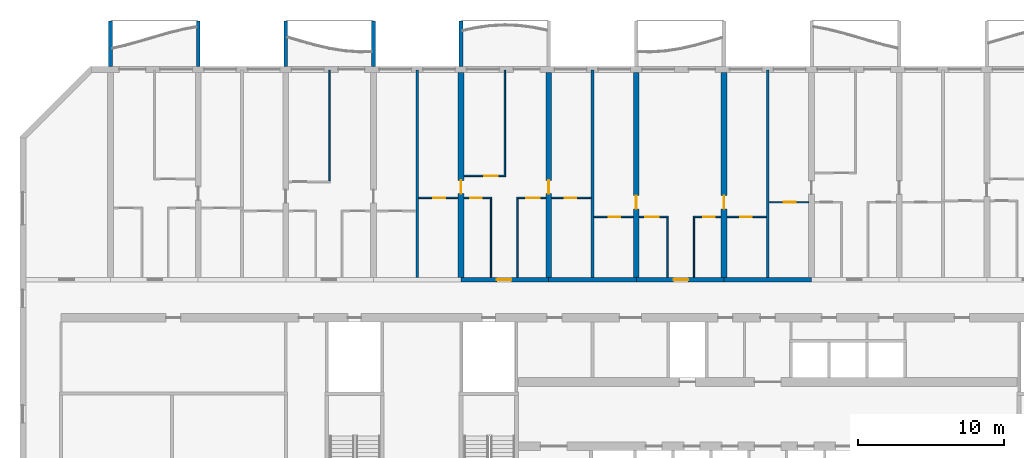
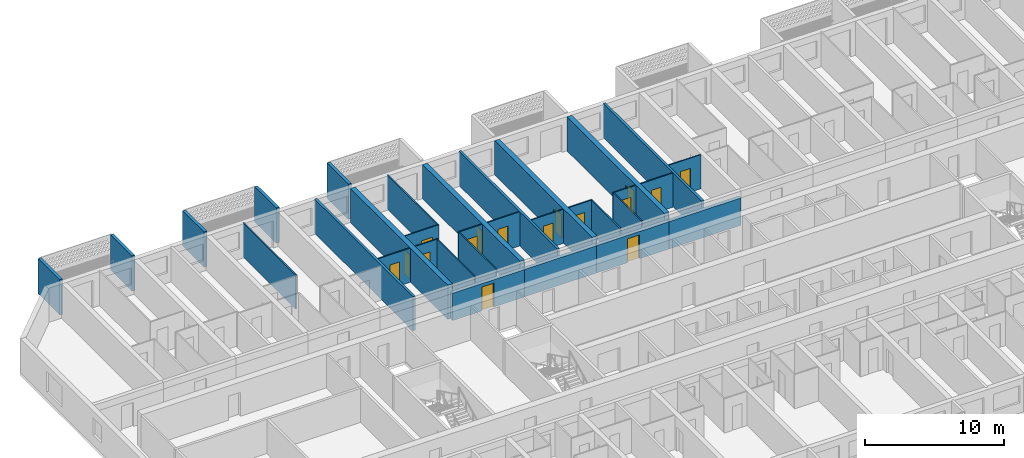
# One storey, part 11 of 38: 32 walls, 16 doors, 16 openings.
"""IFC4 building model written with IfcOpenShell, lengths in metres."""

from ifc_helpers import new_model, si_unit, direction, frame, frame_2d, origin, place, context, subcontext, project, spatial, polyline, rectangle, outline, extrude, source, transform, mapped, material, layer, layer_set, type_object, element, fill, save


model = new_model("IFC4")

# Units and contexts
model_context = context("Model", 3, precision=1e-05, world=origin(), true_north=direction((0.0, 1.0)))
body_context = subcontext(model_context, "Body", "Model", "MODEL_VIEW")
ifc_project = project(units=[si_unit("LENGTHUNIT", "METRE"), si_unit("AREAUNIT", "SQUARE_METRE"), si_unit("VOLUMEUNIT", "CUBIC_METRE"), si_unit("PLANEANGLEUNIT", "RADIAN"), si_unit("MASSUNIT", "GRAM", prefix="KILO")], contexts=[model_context])

# Site, building, storey
site_placement = place(None, origin())
site = spatial("IfcSite", under=ifc_project, at=site_placement, CompositionType="ELEMENT")
building_placement = place(site_placement, origin())
building = spatial("IfcBuilding", under=site, at=building_placement, Name="Poui Terraces", CompositionType="ELEMENT")
storey_placement = place(building_placement, frame((0.0, 0.0, 49.800048828125)))
storey = spatial("IfcBuildingStorey", under=building, at=storey_placement, Name="L13", CompositionType="ELEMENT", Elevation=49.800048828125)

# Wall, opening, door
ifc_material_1 = material(Name="Concrete 80 MPa", Category="concrete")
ifc_layer_1 = layer(ifc_material_1, 0.300048828125)
ifc_layer_set_1 = layer_set([ifc_layer_1], Name="Concrete 80 MPa")
wall_type_1 = type_object("IfcWallType", Name="CORRIDOR WALL 300 80MPa", PredefinedType="SHEAR", material=ifc_layer_set_1)
wall_1_placement = place(storey_placement, frame((30.0, 30.39990234375, 0.0), z_axis=(0.0, 0.0, 1.0), x_axis=(1.0, 0.0, 0.0)))
wall_1 = element("IfcWall", 1, at=wall_1_placement, inside=storey, type_object=wall_type_1, Name="CORRIDOR WALL LINE E BAY 6", PredefinedType="SHEAR", context=body_context, shape_type="SweptSolid", body=[
    extrude(rectangle(XDim=6.0, YDim=0.300048828125, at=frame_2d((3.0, 0.0))), origin(), (0.0, 0.0, 1.0), 2.39990234375),
])
opening_1_placement = place(wall_1_placement, frame((2.449951171875, 0.0, 0.0)))
opening_1 = element("IfcOpeningElement", 2, at=opening_1_placement, cuts=wall_1, Name="Opening FD30S", PredefinedType="OPENING", context=body_context, shape_type="SweptSolid", body=[
    extrude(rectangle(XDim=1.0, YDim=2.10009765625, at=frame_2d((0.5, 1.050048828125))), frame((0.0, 0.16015625, 0.0), z_axis=(0.0, -1.0, 0.0), x_axis=(1.0, 0.0, 0.0)), (0.0, 0.0, 1.0), 0.320068359375),
])
ifc_material_2 = material(Name="Steel fire door", Category="steel")
door_type_1 = type_object("IfcDoorType", Name="FLAT ENTRANCE DOOR 1000 X 2100", OperationType="NOTDEFINED", PredefinedType="DOOR", material=ifc_material_2)
door_1_placement = place(opening_1_placement, origin())
door_1 = element("IfcDoor", 3, at=door_1_placement, inside=storey, type_object=door_type_1, Name="FLAT ENTRANCE DOOR 051", OperationType="SINGLE_SWING_LEFT", OverallHeight=2.10009765625, OverallWidth=1.0, PredefinedType="DOOR", context=body_context, shape_type="SweptSolid", body=[
    extrude(rectangle(XDim=1.0, YDim=2.10009765625, at=frame_2d((0.5, 1.050048828125))), frame((0.0, 0.02490234375, 0.0), z_axis=(0.0, -1.0, 0.0), x_axis=(1.0, 0.0, 0.0)), (0.0, 0.0, 1.0), 0.050048828125),
])
fill(opening_1, door_1)

# Wall
wall_2_placement = place(storey_placement, frame((36.0, 30.39990234375, 0.0), z_axis=(0.0, 0.0, 1.0), x_axis=(1.0, 0.0, 0.0)))
element("IfcWall", 4, at=wall_2_placement, inside=storey, type_object=wall_type_1, Name="CORRIDOR WALL LINE E BAY 7", PredefinedType="SHEAR", context=body_context, shape_type="SweptSolid", body=[
    extrude(rectangle(XDim=6.0, YDim=0.300048828125, at=frame_2d((3.0, 0.0))), origin(), (0.0, 0.0, 1.0), 2.39990234375),
])

# Wall, opening, door
wall_3_placement = place(storey_placement, frame((42.0, 30.39990234375, 0.0), z_axis=(0.0, 0.0, 1.0), x_axis=(1.0, 0.0, 0.0)))
wall_3 = element("IfcWall", 5, at=wall_3_placement, inside=storey, type_object=wall_type_1, Name="CORRIDOR WALL LINE E BAY 8", PredefinedType="SHEAR", context=body_context, shape_type="SweptSolid", body=[
    extrude(rectangle(XDim=6.0, YDim=0.300048828125, at=frame_2d((3.0, 0.0))), origin(), (0.0, 0.0, 1.0), 2.39990234375),
])
opening_2_placement = place(wall_3_placement, frame((2.550048828125, 0.0, 0.0)))
opening_2 = element("IfcOpeningElement", 6, at=opening_2_placement, cuts=wall_3, Name="Opening FD30S", PredefinedType="OPENING", context=body_context, shape_type="SweptSolid", body=[
    extrude(rectangle(XDim=1.0, YDim=2.10009765625, at=frame_2d((0.5, 1.050048828125))), frame((0.0, 0.16015625, 0.0), z_axis=(0.0, -1.0, 0.0), x_axis=(1.0, 0.0, 0.0)), (0.0, 0.0, 1.0), 0.320068359375),
])
door_2_placement = place(opening_2_placement, origin())
door_2 = element("IfcDoor", 7, at=door_2_placement, inside=storey, type_object=door_type_1, Name="FLAT ENTRANCE DOOR 058", OperationType="SINGLE_SWING_RIGHT", OverallHeight=2.10009765625, OverallWidth=1.0, PredefinedType="DOOR", context=body_context, shape_type="SweptSolid", body=[
    extrude(rectangle(XDim=1.0, YDim=2.10009765625, at=frame_2d((0.5, 1.050048828125))), frame((0.0, 0.02490234375, 0.0), z_axis=(0.0, -1.0, 0.0), x_axis=(1.0, 0.0, 0.0)), (0.0, 0.0, 1.0), 0.050048828125),
])
fill(opening_2, door_2)

# Wall
wall_4_placement = place(storey_placement, frame((48.0, 30.39990234375, 0.0), z_axis=(0.0, 0.0, 1.0), x_axis=(1.0, 0.0, 0.0)))
element("IfcWall", 8, at=wall_4_placement, inside=storey, type_object=wall_type_1, Name="CORRIDOR WALL LINE E BAY 9", PredefinedType="SHEAR", context=body_context, shape_type="SweptSolid", body=[
    extrude(rectangle(XDim=6.0, YDim=0.300048828125, at=frame_2d((3.0, 0.0))), origin(), (0.0, 0.0, 1.0), 2.39990234375),
])

# Wall, opening, door
ifc_layer_2 = layer(ifc_material_1, 0.39990234375)
ifc_layer_set_2 = layer_set([ifc_layer_2], Name="Concrete 80 MPa")
wall_type_2 = type_object("IfcWallType", Name="CROSS WALL 400 80MPa", PredefinedType="SHEAR", material=ifc_layer_set_2)
wall_5_placement = place(storey_placement, frame((30.0, 30.550048828125, 0.0), z_axis=(0.0, 0.0, 1.0), x_axis=(0.0, 1.0, 0.0)))
wall_5 = element("IfcWall", 9, at=wall_5_placement, inside=storey, type_object=wall_type_2, Name="CROSS WALL LINE 6 NORTH", PredefinedType="SHEAR", context=body_context, shape_type="SweptSolid", body=[
    extrude(rectangle(XDim=14.050048828125, YDim=0.39990234375, at=frame_2d((7.02490234375, 0.0))), origin(), (0.0, 0.0, 1.0), 3.0),
])
opening_3_placement = place(wall_5_placement, frame((5.75, 0.0, 0.0)))
opening_3 = element("IfcOpeningElement", 10, at=opening_3_placement, cuts=wall_5, Name="Opening D90", PredefinedType="OPENING", context=body_context, shape_type="SweptSolid", body=[
    extrude(rectangle(XDim=0.89990234375, YDim=2.10009765625, at=frame_2d((0.449951171875, 1.050048828125))), frame((0.0, 0.2099609375, 0.0), z_axis=(0.0, -1.0, 0.0), x_axis=(1.0, 0.0, 0.0)), (0.0, 0.0, 1.0), 0.419921875),
])
ifc_material_3 = material(Name="Solid core timber door", Category="wood")
door_type_2 = type_object("IfcDoorType", Name="INTERNAL DOOR 900 X 2100", OperationType="NOTDEFINED", PredefinedType="DOOR", material=ifc_material_3)
door_3_placement = place(opening_3_placement, origin())
door_3 = element("IfcDoor", 11, at=door_3_placement, inside=storey, type_object=door_type_2, Name="INTERNAL DOOR 048", OperationType="SINGLE_SWING_LEFT", OverallHeight=2.10009765625, OverallWidth=0.89990234375, PredefinedType="DOOR", context=body_context, shape_type="SweptSolid", body=[
    extrude(rectangle(XDim=0.89990234375, YDim=2.10009765625, at=frame_2d((0.449951171875, 1.050048828125))), frame((0.0, 0.02490234375, 0.0), z_axis=(0.0, -1.0, 0.0), x_axis=(1.0, 0.0, 0.0)), (0.0, 0.0, 1.0), 0.050048828125),
])
fill(opening_3, door_3)

wall_6_placement = place(storey_placement, frame((36.0, 30.550048828125, 0.0), z_axis=(0.0, 0.0, 1.0), x_axis=(0.0, 1.0, 0.0)))
wall_6 = element("IfcWall", 12, at=wall_6_placement, inside=storey, type_object=wall_type_2, Name="CROSS WALL LINE 7 NORTH", PredefinedType="SHEAR", context=body_context, shape_type="SweptSolid", body=[
    extrude(rectangle(XDim=14.050048828125, YDim=0.39990234375, at=frame_2d((7.02490234375, 0.0))), origin(), (0.0, 0.0, 1.0), 3.0),
])
opening_4_placement = place(wall_6_placement, frame((5.75, 0.0, 0.0)))
opening_4 = element("IfcOpeningElement", 13, at=opening_4_placement, cuts=wall_6, Name="Opening D90", PredefinedType="OPENING", context=body_context, shape_type="SweptSolid", body=[
    extrude(rectangle(XDim=0.89990234375, YDim=2.10009765625, at=frame_2d((0.449951171875, 1.050048828125))), frame((0.0, 0.2099609375, 0.0), z_axis=(0.0, -1.0, 0.0), x_axis=(1.0, 0.0, 0.0)), (0.0, 0.0, 1.0), 0.419921875),
])
door_4_placement = place(opening_4_placement, frame((0.89990234375, 0.0, 0.0), z_axis=(0.0, 0.0, 1.0), x_axis=(-1.0, 0.0, 0.0)))
door_4 = element("IfcDoor", 14, at=door_4_placement, inside=storey, type_object=door_type_2, Name="INTERNAL DOOR 053", OperationType="SINGLE_SWING_RIGHT", OverallHeight=2.10009765625, OverallWidth=0.89990234375, PredefinedType="DOOR", context=body_context, shape_type="SweptSolid", body=[
    extrude(rectangle(XDim=0.89990234375, YDim=2.10009765625, at=frame_2d((0.449951171875, 1.050048828125))), frame((0.0, 0.02490234375, 0.0), z_axis=(0.0, -1.0, 0.0), x_axis=(1.0, 0.0, 0.0)), (0.0, 0.0, 1.0), 0.050048828125),
])
fill(opening_4, door_4)

wall_7_placement = place(storey_placement, frame((42.0, 30.550048828125, 0.0), z_axis=(0.0, 0.0, 1.0), x_axis=(0.0, 1.0, 0.0)))
wall_7 = element("IfcWall", 15, at=wall_7_placement, inside=storey, type_object=wall_type_2, Name="CROSS WALL LINE 8 NORTH", PredefinedType="SHEAR", context=body_context, shape_type="SweptSolid", body=[
    extrude(rectangle(XDim=14.050048828125, YDim=0.39990234375, at=frame_2d((7.02490234375, 0.0))), origin(), (0.0, 0.0, 1.0), 3.0),
])
opening_5_placement = place(wall_7_placement, frame((4.699951171875, 0.0, 0.0)))
opening_5 = element("IfcOpeningElement", 16, at=opening_5_placement, cuts=wall_7, Name="Opening D90", PredefinedType="OPENING", context=body_context, shape_type="SweptSolid", body=[
    extrude(rectangle(XDim=0.89990234375, YDim=2.10009765625, at=frame_2d((0.449951171875, 1.050048828125))), frame((0.0, 0.2099609375, 0.0), z_axis=(0.0, -1.0, 0.0), x_axis=(1.0, 0.0, 0.0)), (0.0, 0.0, 1.0), 0.419921875),
])
door_5_placement = place(opening_5_placement, origin())
door_5 = element("IfcDoor", 17, at=door_5_placement, inside=storey, type_object=door_type_2, Name="INTERNAL DOOR 056", OperationType="SINGLE_SWING_LEFT", OverallHeight=2.10009765625, OverallWidth=0.89990234375, PredefinedType="DOOR", context=body_context, shape_type="SweptSolid", body=[
    extrude(rectangle(XDim=0.89990234375, YDim=2.10009765625, at=frame_2d((0.449951171875, 1.050048828125))), frame((0.0, 0.02490234375, 0.0), z_axis=(0.0, -1.0, 0.0), x_axis=(1.0, 0.0, 0.0)), (0.0, 0.0, 1.0), 0.050048828125),
])
fill(opening_5, door_5)

wall_8_placement = place(storey_placement, frame((48.0, 30.550048828125, 0.0), z_axis=(0.0, 0.0, 1.0), x_axis=(0.0, 1.0, 0.0)))
wall_8 = element("IfcWall", 18, at=wall_8_placement, inside=storey, type_object=wall_type_2, Name="CROSS WALL LINE 9 NORTH", PredefinedType="SHEAR", context=body_context, shape_type="SweptSolid", body=[
    extrude(rectangle(XDim=14.050048828125, YDim=0.39990234375, at=frame_2d((7.02490234375, 0.0))), origin(), (0.0, 0.0, 1.0), 3.0),
])
opening_6_placement = place(wall_8_placement, frame((4.699951171875, 0.0, 0.0)))
opening_6 = element("IfcOpeningElement", 19, at=opening_6_placement, cuts=wall_8, Name="Opening D90", PredefinedType="OPENING", context=body_context, shape_type="SweptSolid", body=[
    extrude(rectangle(XDim=0.89990234375, YDim=2.10009765625, at=frame_2d((0.449951171875, 1.050048828125))), frame((0.0, 0.2099609375, 0.0), z_axis=(0.0, -1.0, 0.0), x_axis=(1.0, 0.0, 0.0)), (0.0, 0.0, 1.0), 0.419921875),
])
door_6_placement = place(opening_6_placement, frame((0.89990234375, 0.0, 0.0), z_axis=(0.0, 0.0, 1.0), x_axis=(-1.0, 0.0, 0.0)))
door_6 = element("IfcDoor", 20, at=door_6_placement, inside=storey, type_object=door_type_2, Name="INTERNAL DOOR 060", OperationType="SINGLE_SWING_RIGHT", OverallHeight=2.10009765625, OverallWidth=0.89990234375, PredefinedType="DOOR", context=body_context, shape_type="SweptSolid", body=[
    extrude(rectangle(XDim=0.89990234375, YDim=2.10009765625, at=frame_2d((0.449951171875, 1.050048828125))), frame((0.0, 0.02490234375, 0.0), z_axis=(0.0, -1.0, 0.0), x_axis=(1.0, 0.0, 0.0)), (0.0, 0.0, 1.0), 0.050048828125),
])
fill(opening_6, door_6)

ifc_material_4 = material(Name="Plasterboard partition")
ifc_layer_3 = layer(ifc_material_4, 0.10009765625)
ifc_layer_set_3 = layer_set([ifc_layer_3], Name="Plasterboard partition")
wall_type_3 = type_object("IfcWallType", Name="FLAT PARTITION 100", PredefinedType="PARTITIONING", material=ifc_layer_set_3)
wall_9_placement = place(storey_placement, frame((39.10009765625, 34.699951171875, 0.0), z_axis=(0.0, 0.0, 1.0), x_axis=(1.0, 0.0, 0.0)))
wall_9 = element("IfcWall", 21, at=wall_9_placement, inside=storey, type_object=wall_type_3, Name="FLAT PARTITION 100", PredefinedType="PARTITIONING", context=body_context, shape_type="SweptSolid", body=[
    extrude(rectangle(XDim=2.68994140625, YDim=0.10009765625, at=frame_2d((1.344970703125, 0.0))), origin(), (0.0, 0.0, 1.0), 3.0),
])
opening_7_placement = place(wall_9_placement, frame((1.0, 0.0, 0.0)))
opening_7 = element("IfcOpeningElement", 22, at=opening_7_placement, cuts=wall_9, Name="Opening D80", PredefinedType="OPENING", context=body_context, shape_type="SweptSolid", body=[
    extrude(rectangle(XDim=0.800048828125, YDim=2.10009765625, at=frame_2d((0.39990234375, 1.050048828125))), frame((0.0, 0.06005859375, 0.0), z_axis=(0.0, -1.0, 0.0), x_axis=(1.0, 0.0, 0.0)), (0.0, 0.0, 1.0), 0.1201171875),
])
door_type_3 = type_object("IfcDoorType", Name="BATHROOM, LAUNDRY AND STORE DOOR 800 X 2100", OperationType="NOTDEFINED", PredefinedType="DOOR", material=ifc_material_3)
door_7_placement = place(opening_7_placement, frame((0.800048828125, 0.0, 0.0), z_axis=(0.0, 0.0, 1.0), x_axis=(-1.0, 0.0, 0.0)))
door_7 = element("IfcDoor", 23, at=door_7_placement, inside=storey, type_object=door_type_3, Name="BATHROOM, LAUNDRY AND STORE DOOR 054", OperationType="SINGLE_SWING_RIGHT", OverallHeight=2.10009765625, OverallWidth=0.800048828125, PredefinedType="DOOR", context=body_context, shape_type="SweptSolid", body=[
    extrude(rectangle(XDim=0.800048828125, YDim=2.10009765625, at=frame_2d((0.39990234375, 1.050048828125))), frame((0.0, 0.02490234375, 0.0), z_axis=(0.0, -1.0, 0.0), x_axis=(1.0, 0.0, 0.0)), (0.0, 0.0, 1.0), 0.050048828125),
])
fill(opening_7, door_7)

wall_10_placement = place(storey_placement, frame((42.2099609375, 34.699951171875, 0.0), z_axis=(0.0, 0.0, 1.0), x_axis=(1.0, 0.0, 0.0)))
wall_10 = element("IfcWall", 24, at=wall_10_placement, inside=storey, type_object=wall_type_3, Name="FLAT PARTITION 100", PredefinedType="PARTITIONING", context=body_context, shape_type="SweptSolid", body=[
    extrude(rectangle(XDim=1.989990234375, YDim=0.10009765625, at=frame_2d((0.9951171875, 0.0))), origin(), (0.0, 0.0, 1.0), 3.0),
])
opening_8_placement = place(wall_10_placement, frame((0.4150390625, 0.0, 0.0)))
opening_8 = element("IfcOpeningElement", 25, at=opening_8_placement, cuts=wall_10, Name="Opening D90", PredefinedType="OPENING", context=body_context, shape_type="SweptSolid", body=[
    extrude(rectangle(XDim=0.89990234375, YDim=2.10009765625, at=frame_2d((0.449951171875, 1.050048828125))), frame((0.0, 0.06005859375, 0.0), z_axis=(0.0, -1.0, 0.0), x_axis=(1.0, 0.0, 0.0)), (0.0, 0.0, 1.0), 0.1201171875),
])
door_8_placement = place(opening_8_placement, frame((0.89990234375, 0.0, 0.0), z_axis=(0.0, 0.0, 1.0), x_axis=(-1.0, 0.0, 0.0)))
door_8 = element("IfcDoor", 26, at=door_8_placement, inside=storey, type_object=door_type_2, Name="INTERNAL DOOR 057", OperationType="SINGLE_SWING_LEFT", OverallHeight=2.10009765625, OverallWidth=0.89990234375, PredefinedType="DOOR", context=body_context, shape_type="SweptSolid", body=[
    extrude(rectangle(XDim=0.89990234375, YDim=2.10009765625, at=frame_2d((0.449951171875, 1.050048828125))), frame((0.0, 0.02490234375, 0.0), z_axis=(0.0, -1.0, 0.0), x_axis=(1.0, 0.0, 0.0)), (0.0, 0.0, 1.0), 0.050048828125),
])
fill(opening_8, door_8)

wall_11_placement = place(storey_placement, frame((45.89990234375, 34.699951171875, 0.0), z_axis=(0.0, 0.0, 1.0), x_axis=(1.0, 0.0, 0.0)))
wall_11 = element("IfcWall", 27, at=wall_11_placement, inside=storey, type_object=wall_type_3, Name="FLAT PARTITION 100", PredefinedType="PARTITIONING", context=body_context, shape_type="SweptSolid", body=[
    extrude(rectangle(XDim=1.89013671875, YDim=0.10009765625, at=frame_2d((0.945068359375, 0.0))), origin(), (0.0, 0.0, 1.0), 3.0),
])
opening_9_placement = place(wall_11_placement, frame((0.675048828125, 0.0, 0.0)))
opening_9 = element("IfcOpeningElement", 28, at=opening_9_placement, cuts=wall_11, Name="Opening D80", PredefinedType="OPENING", context=body_context, shape_type="SweptSolid", body=[
    extrude(rectangle(XDim=0.800048828125, YDim=2.10009765625, at=frame_2d((0.39990234375, 1.050048828125))), frame((0.0, 0.06005859375, 0.0), z_axis=(0.0, -1.0, 0.0), x_axis=(1.0, 0.0, 0.0)), (0.0, 0.0, 1.0), 0.1201171875),
])
door_9_placement = place(opening_9_placement, frame((0.800048828125, 0.0, 0.0), z_axis=(0.0, 0.0, 1.0), x_axis=(-1.0, 0.0, 0.0)))
door_9 = element("IfcDoor", 29, at=door_9_placement, inside=storey, type_object=door_type_3, Name="BATHROOM, LAUNDRY AND STORE DOOR 059", OperationType="SINGLE_SWING_RIGHT", OverallHeight=2.10009765625, OverallWidth=0.800048828125, PredefinedType="DOOR", context=body_context, shape_type="SweptSolid", body=[
    extrude(rectangle(XDim=0.800048828125, YDim=2.10009765625, at=frame_2d((0.39990234375, 1.050048828125))), frame((0.0, 0.02490234375, 0.0), z_axis=(0.0, -1.0, 0.0), x_axis=(1.0, 0.0, 0.0)), (0.0, 0.0, 1.0), 0.050048828125),
])
fill(opening_9, door_9)

wall_12_placement = place(storey_placement, frame((48.2099609375, 34.699951171875, 0.0), z_axis=(0.0, 0.0, 1.0), x_axis=(1.0, 0.0, 0.0)))
wall_12 = element("IfcWall", 30, at=wall_12_placement, inside=storey, type_object=wall_type_3, Name="FLAT PARTITION 100", PredefinedType="PARTITIONING", context=body_context, shape_type="SweptSolid", body=[
    extrude(rectangle(XDim=2.68994140625, YDim=0.10009765625, at=frame_2d((1.344970703125, 0.0))), origin(), (0.0, 0.0, 1.0), 3.0),
])
opening_10_placement = place(wall_12_placement, frame((0.889892578125, 0.0, 0.0)))
opening_10 = element("IfcOpeningElement", 31, at=opening_10_placement, cuts=wall_12, Name="Opening D80", PredefinedType="OPENING", context=body_context, shape_type="SweptSolid", body=[
    extrude(rectangle(XDim=0.800048828125, YDim=2.10009765625, at=frame_2d((0.39990234375, 1.050048828125))), frame((0.0, 0.06005859375, 0.0), z_axis=(0.0, -1.0, 0.0), x_axis=(1.0, 0.0, 0.0)), (0.0, 0.0, 1.0), 0.1201171875),
])
door_10_placement = place(opening_10_placement, frame((0.800048828125, 0.0, 0.0), z_axis=(0.0, 0.0, 1.0), x_axis=(-1.0, 0.0, 0.0)))
door_10 = element("IfcDoor", 32, at=door_10_placement, inside=storey, type_object=door_type_3, Name="BATHROOM, LAUNDRY AND STORE DOOR 055", OperationType="SINGLE_SWING_RIGHT", OverallHeight=2.10009765625, OverallWidth=0.800048828125, PredefinedType="DOOR", context=body_context, shape_type="SweptSolid", body=[
    extrude(rectangle(XDim=0.800048828125, YDim=2.10009765625, at=frame_2d((0.39990234375, 1.050048828125))), frame((0.0, 0.02490234375, 0.0), z_axis=(0.0, -1.0, 0.0), x_axis=(1.0, 0.0, 0.0)), (0.0, 0.0, 1.0), 0.050048828125),
])
fill(opening_10, door_10)

wall_13_placement = place(storey_placement, frame((51.10009765625, 35.699951171875, 0.0), z_axis=(0.0, 0.0, 1.0), x_axis=(1.0, 0.0, 0.0)))
wall_13 = element("IfcWall", 33, at=wall_13_placement, inside=storey, type_object=wall_type_3, Name="FLAT PARTITION 100", PredefinedType="PARTITIONING", context=body_context, shape_type="SweptSolid", body=[
    extrude(rectangle(XDim=2.68994140625, YDim=0.10009765625, at=frame_2d((1.344970703125, 0.0))), origin(), (0.0, 0.0, 1.0), 3.0),
])
opening_11_placement = place(wall_13_placement, frame((1.0, 0.0, 0.0)))
opening_11 = element("IfcOpeningElement", 34, at=opening_11_placement, cuts=wall_13, Name="Opening D80", PredefinedType="OPENING", context=body_context, shape_type="SweptSolid", body=[
    extrude(rectangle(XDim=0.800048828125, YDim=2.10009765625, at=frame_2d((0.39990234375, 1.050048828125))), frame((0.0, 0.06005859375, 0.0), z_axis=(0.0, -1.0, 0.0), x_axis=(1.0, 0.0, 0.0)), (0.0, 0.0, 1.0), 0.1201171875),
])
door_11_placement = place(opening_11_placement, frame((0.800048828125, 0.0, 0.0), z_axis=(0.0, 0.0, 1.0), x_axis=(-1.0, 0.0, 0.0)))
door_11 = element("IfcDoor", 35, at=door_11_placement, inside=storey, type_object=door_type_3, Name="BATHROOM, LAUNDRY AND STORE DOOR 061", OperationType="SINGLE_SWING_LEFT", OverallHeight=2.10009765625, OverallWidth=0.800048828125, PredefinedType="DOOR", context=body_context, shape_type="SweptSolid", body=[
    extrude(rectangle(XDim=0.800048828125, YDim=2.10009765625, at=frame_2d((0.39990234375, 1.050048828125))), frame((0.0, 0.02490234375, 0.0), z_axis=(0.0, -1.0, 0.0), x_axis=(1.0, 0.0, 0.0)), (0.0, 0.0, 1.0), 0.050048828125),
])
fill(opening_11, door_11)

wall_14_placement = place(storey_placement, frame((27.10009765625, 36.0, 0.0), z_axis=(0.0, 0.0, 1.0), x_axis=(1.0, 0.0, 0.0)))
wall_14 = element("IfcWall", 36, at=wall_14_placement, inside=storey, type_object=wall_type_3, Name="FLAT PARTITION 100", PredefinedType="PARTITIONING", context=body_context, shape_type="SweptSolid", body=[
    extrude(rectangle(XDim=2.68994140625, YDim=0.10009765625, at=frame_2d((1.344970703125, 0.0))), origin(), (0.0, 0.0, 1.0), 3.0),
])
opening_12_placement = place(wall_14_placement, frame((1.0, 0.0, 0.0)))
opening_12 = element("IfcOpeningElement", 37, at=opening_12_placement, cuts=wall_14, Name="Opening D80", PredefinedType="OPENING", context=body_context, shape_type="SweptSolid", body=[
    extrude(rectangle(XDim=0.800048828125, YDim=2.10009765625, at=frame_2d((0.39990234375, 1.050048828125))), frame((0.0, 0.06005859375, 0.0), z_axis=(0.0, -1.0, 0.0), x_axis=(1.0, 0.0, 0.0)), (0.0, 0.0, 1.0), 0.1201171875),
])
door_12_placement = place(opening_12_placement, frame((0.800048828125, 0.0, 0.0), z_axis=(0.0, 0.0, 1.0), x_axis=(-1.0, 0.0, 0.0)))
door_12 = element("IfcDoor", 38, at=door_12_placement, inside=storey, type_object=door_type_3, Name="BATHROOM, LAUNDRY AND STORE DOOR 046", OperationType="SINGLE_SWING_LEFT", OverallHeight=2.10009765625, OverallWidth=0.800048828125, PredefinedType="DOOR", context=body_context, shape_type="SweptSolid", body=[
    extrude(rectangle(XDim=0.800048828125, YDim=2.10009765625, at=frame_2d((0.39990234375, 1.050048828125))), frame((0.0, 0.02490234375, 0.0), z_axis=(0.0, -1.0, 0.0), x_axis=(1.0, 0.0, 0.0)), (0.0, 0.0, 1.0), 0.050048828125),
])
fill(opening_12, door_12)

wall_15_placement = place(storey_placement, frame((30.2099609375, 36.0, 0.0), z_axis=(0.0, 0.0, 1.0), x_axis=(1.0, 0.0, 0.0)))
wall_15 = element("IfcWall", 39, at=wall_15_placement, inside=storey, type_object=wall_type_3, Name="FLAT PARTITION 100", PredefinedType="PARTITIONING", context=body_context, shape_type="SweptSolid", body=[
    extrude(rectangle(XDim=1.89013671875, YDim=0.10009765625, at=frame_2d((0.945068359375, 0.0))), origin(), (0.0, 0.0, 1.0), 3.0),
])
opening_13_placement = place(wall_15_placement, frame((0.4150390625, 0.0, 0.0)))
opening_13 = element("IfcOpeningElement", 40, at=opening_13_placement, cuts=wall_15, Name="Opening D80", PredefinedType="OPENING", context=body_context, shape_type="SweptSolid", body=[
    extrude(rectangle(XDim=0.800048828125, YDim=2.10009765625, at=frame_2d((0.39990234375, 1.050048828125))), frame((0.0, 0.06005859375, 0.0), z_axis=(0.0, -1.0, 0.0), x_axis=(1.0, 0.0, 0.0)), (0.0, 0.0, 1.0), 0.1201171875),
])
door_13_placement = place(opening_13_placement, frame((0.800048828125, 0.0, 0.0), z_axis=(0.0, 0.0, 1.0), x_axis=(-1.0, 0.0, 0.0)))
door_13 = element("IfcDoor", 41, at=door_13_placement, inside=storey, type_object=door_type_3, Name="BATHROOM, LAUNDRY AND STORE DOOR 049", OperationType="SINGLE_SWING_LEFT", OverallHeight=2.10009765625, OverallWidth=0.800048828125, PredefinedType="DOOR", context=body_context, shape_type="SweptSolid", body=[
    extrude(rectangle(XDim=0.800048828125, YDim=2.10009765625, at=frame_2d((0.39990234375, 1.050048828125))), frame((0.0, 0.02490234375, 0.0), z_axis=(0.0, -1.0, 0.0), x_axis=(1.0, 0.0, 0.0)), (0.0, 0.0, 1.0), 0.050048828125),
])
fill(opening_13, door_13)

wall_16_placement = place(storey_placement, frame((33.800048828125, 36.0, 0.0), z_axis=(0.0, 0.0, 1.0), x_axis=(1.0, 0.0, 0.0)))
wall_16 = element("IfcWall", 42, at=wall_16_placement, inside=storey, type_object=wall_type_3, Name="FLAT PARTITION 100", PredefinedType="PARTITIONING", context=body_context, shape_type="SweptSolid", body=[
    extrude(rectangle(XDim=1.989990234375, YDim=0.10009765625, at=frame_2d((0.9951171875, 0.0))), origin(), (0.0, 0.0, 1.0), 3.0),
])
opening_14_placement = place(wall_16_placement, frame((0.675048828125, 0.0, 0.0)))
opening_14 = element("IfcOpeningElement", 43, at=opening_14_placement, cuts=wall_16, Name="Opening D90", PredefinedType="OPENING", context=body_context, shape_type="SweptSolid", body=[
    extrude(rectangle(XDim=0.89990234375, YDim=2.10009765625, at=frame_2d((0.449951171875, 1.050048828125))), frame((0.0, 0.06005859375, 0.0), z_axis=(0.0, -1.0, 0.0), x_axis=(1.0, 0.0, 0.0)), (0.0, 0.0, 1.0), 0.1201171875),
])
door_14_placement = place(opening_14_placement, frame((0.89990234375, 0.0, 0.0), z_axis=(0.0, 0.0, 1.0), x_axis=(-1.0, 0.0, 0.0)))
door_14 = element("IfcDoor", 44, at=door_14_placement, inside=storey, type_object=door_type_2, Name="INTERNAL DOOR 052", OperationType="SINGLE_SWING_RIGHT", OverallHeight=2.10009765625, OverallWidth=0.89990234375, PredefinedType="DOOR", context=body_context, shape_type="SweptSolid", body=[
    extrude(rectangle(XDim=0.89990234375, YDim=2.10009765625, at=frame_2d((0.449951171875, 1.050048828125))), frame((0.0, 0.02490234375, 0.0), z_axis=(0.0, -1.0, 0.0), x_axis=(1.0, 0.0, 0.0)), (0.0, 0.0, 1.0), 0.050048828125),
])
fill(opening_14, door_14)

wall_17_placement = place(storey_placement, frame((36.2099609375, 36.0, 0.0), z_axis=(0.0, 0.0, 1.0), x_axis=(1.0, 0.0, 0.0)))
wall_17 = element("IfcWall", 45, at=wall_17_placement, inside=storey, type_object=wall_type_3, Name="FLAT PARTITION 100", PredefinedType="PARTITIONING", context=body_context, shape_type="SweptSolid", body=[
    extrude(rectangle(XDim=2.68994140625, YDim=0.10009765625, at=frame_2d((1.344970703125, 0.0))), origin(), (0.0, 0.0, 1.0), 3.0),
])
opening_15_placement = place(wall_17_placement, frame((0.889892578125, 0.0, 0.0)))
opening_15 = element("IfcOpeningElement", 46, at=opening_15_placement, cuts=wall_17, Name="Opening D80", PredefinedType="OPENING", context=body_context, shape_type="SweptSolid", body=[
    extrude(rectangle(XDim=0.800048828125, YDim=2.10009765625, at=frame_2d((0.39990234375, 1.050048828125))), frame((0.0, 0.06005859375, 0.0), z_axis=(0.0, -1.0, 0.0), x_axis=(1.0, 0.0, 0.0)), (0.0, 0.0, 1.0), 0.1201171875),
])
door_15_placement = place(opening_15_placement, frame((0.800048828125, 0.0, 0.0), z_axis=(0.0, 0.0, 1.0), x_axis=(-1.0, 0.0, 0.0)))
door_15 = element("IfcDoor", 47, at=door_15_placement, inside=storey, type_object=door_type_3, Name="BATHROOM, LAUNDRY AND STORE DOOR 047", OperationType="SINGLE_SWING_LEFT", OverallHeight=2.10009765625, OverallWidth=0.800048828125, PredefinedType="DOOR", context=body_context, shape_type="SweptSolid", body=[
    extrude(rectangle(XDim=0.800048828125, YDim=2.10009765625, at=frame_2d((0.39990234375, 1.050048828125))), frame((0.0, 0.02490234375, 0.0), z_axis=(0.0, -1.0, 0.0), x_axis=(1.0, 0.0, 0.0)), (0.0, 0.0, 1.0), 0.050048828125),
])
fill(opening_15, door_15)

wall_18_placement = place(storey_placement, frame((30.2099609375, 37.5, 0.0), z_axis=(0.0, 0.0, 1.0), x_axis=(1.0, 0.0, 0.0)))
wall_18 = element("IfcWall", 48, at=wall_18_placement, inside=storey, type_object=wall_type_3, Name="FLAT PARTITION 100", PredefinedType="PARTITIONING", context=body_context, shape_type="SweptSolid", body=[
    extrude(rectangle(XDim=2.840087890625, YDim=0.10009765625, at=frame_2d((1.419921875, 0.0))), origin(), (0.0, 0.0, 1.0), 3.0),
])
opening_16_placement = place(wall_18_placement, frame((1.389892578125, 0.0, 0.0)))
opening_16 = element("IfcOpeningElement", 49, at=opening_16_placement, cuts=wall_18, Name="Opening D90", PredefinedType="OPENING", context=body_context, shape_type="SweptSolid", body=[
    extrude(rectangle(XDim=0.89990234375, YDim=2.10009765625, at=frame_2d((0.449951171875, 1.050048828125))), frame((0.0, 0.06005859375, 0.0), z_axis=(0.0, -1.0, 0.0), x_axis=(1.0, 0.0, 0.0)), (0.0, 0.0, 1.0), 0.1201171875),
])
door_16_placement = place(opening_16_placement, frame((0.89990234375, 0.0, 0.0), z_axis=(0.0, 0.0, 1.0), x_axis=(-1.0, 0.0, 0.0)))
door_16 = element("IfcDoor", 50, at=door_16_placement, inside=storey, type_object=door_type_2, Name="INTERNAL DOOR 050", OperationType="SINGLE_SWING_RIGHT", OverallHeight=2.10009765625, OverallWidth=0.89990234375, PredefinedType="DOOR", context=body_context, shape_type="SweptSolid", body=[
    extrude(rectangle(XDim=0.89990234375, YDim=2.10009765625, at=frame_2d((0.449951171875, 1.050048828125))), frame((0.0, 0.02490234375, 0.0), z_axis=(0.0, -1.0, 0.0), x_axis=(1.0, 0.0, 0.0)), (0.0, 0.0, 1.0), 0.050048828125),
])
fill(opening_16, door_16)

# Walls
wall_19_placement = place(storey_placement, frame((21.0, 37.14990234375, 0.0), z_axis=(0.0, 0.0, 1.0), x_axis=(0.0, 1.0, 0.0)))
element("IfcWall", 51, at=wall_19_placement, inside=storey, type_object=wall_type_3, Name="FLAT PARTITION 100", PredefinedType="PARTITIONING", context=body_context, shape_type="SweptSolid", body=[
    extrude(rectangle(XDim=7.590087890625, YDim=0.10009765625, at=frame_2d((3.794921875, 0.0))), origin(), (0.0, 0.0, 1.0), 3.0),
])
wall_20_placement = place(storey_placement, frame((32.050048828125, 30.56005859375, 0.0), z_axis=(0.0, 0.0, 1.0), x_axis=(0.0, 1.0, 0.0)))
element("IfcWall", 52, at=wall_20_placement, inside=storey, type_object=wall_type_3, Name="FLAT PARTITION 100", PredefinedType="PARTITIONING", context=body_context, shape_type="SweptSolid", body=[
    extrude(rectangle(XDim=5.389892578125, YDim=0.10009765625, at=frame_2d((2.69482421875, 0.0))), origin(), (0.0, 0.0, 1.0), 3.0),
])
wall_21_placement = place(storey_placement, frame((33.0, 37.550048828125, 0.0), z_axis=(0.0, 0.0, 1.0), x_axis=(0.0, 1.0, 0.0)))
element("IfcWall", 53, at=wall_21_placement, inside=storey, type_object=wall_type_3, Name="FLAT PARTITION 100", PredefinedType="PARTITIONING", context=body_context, shape_type="SweptSolid", body=[
    extrude(rectangle(XDim=7.18994140625, YDim=0.10009765625, at=frame_2d((3.594970703125, 0.0))), origin(), (0.0, 0.0, 1.0), 3.0),
])
wall_22_placement = place(storey_placement, frame((33.85009765625, 30.56005859375, 0.0), z_axis=(0.0, 0.0, 1.0), x_axis=(0.0, 1.0, 0.0)))
element("IfcWall", 54, at=wall_22_placement, inside=storey, type_object=wall_type_3, Name="FLAT PARTITION 100", PredefinedType="PARTITIONING", context=body_context, shape_type="SweptSolid", body=[
    extrude(rectangle(XDim=5.389892578125, YDim=0.10009765625, at=frame_2d((2.69482421875, 0.0))), origin(), (0.0, 0.0, 1.0), 3.0),
])
for number, where, z_axis, x_axis, name in (
    (55, (44.14990234375, 30.56005859375, 0.0), (0.0, 0.0, 1.0), (0.0, 1.0, 0.0), "FLAT PARTITION 100"),
    (56, (45.949951171875, 30.56005859375, 0.0), (0.0, 0.0, 1.0), (0.0, 1.0, 0.0), "FLAT PARTITION 100"),
):
    element("IfcWall", number, at=place(storey_placement, frame(where, z_axis=z_axis, x_axis=x_axis)), inside=storey, type_object=wall_type_3, Name=name, PredefinedType="PARTITIONING", context=body_context, shape_type="SweptSolid", body=[
        extrude(rectangle(XDim=4.08984375, YDim=0.10009765625, at=frame_2d((2.044921875, 0.0))), origin(), (0.0, 0.0, 1.0), 3.0),
    ])
ifc_material_5 = material(Name="Fire-rated masonry wall", Category="masonry")
ifc_layer_4 = layer(ifc_material_5, 0.199951171875)
ifc_layer_set_4 = layer_set([ifc_layer_4], Name="Fire-rated masonry wall")
wall_type_4 = type_object("IfcWallType", Name="FLAT PARTY WALL 200", PredefinedType="PARTITIONING", material=ifc_layer_set_4)
for number, where, z_axis, x_axis, name in (
    (57, (27.0, 30.56005859375, 0.0), (0.0, 0.0, 1.0), (0.0, 1.0, 0.0), "FLAT PARTY WALL 200"),
    (58, (39.0, 30.56005859375, 0.0), (0.0, 0.0, 1.0), (0.0, 1.0, 0.0), "FLAT PARTY WALL 200"),
    (59, (51.0, 30.56005859375, 0.0), (0.0, 0.0, 1.0), (0.0, 1.0, 0.0), "FLAT PARTY WALL 200"),
):
    element("IfcWall", number, at=place(storey_placement, frame(where, z_axis=z_axis, x_axis=x_axis)), inside=storey, type_object=wall_type_4, Name=name, PredefinedType="PARTITIONING", context=body_context, shape_type="SweptSolid", body=[
        extrude(rectangle(XDim=14.179931640625, YDim=0.199951171875, at=frame_2d((7.08984375, 0.0))), origin(), (0.0, 0.0, 1.0), 3.0),
    ])
ifc_material_6 = material(Name="Precast concrete 40 MPa", Category="concrete")
ifc_layer_5 = layer(ifc_material_6, 0.25)
ifc_layer_set_5 = layer_set([ifc_layer_5], Name="Precast concrete 40 MPa")
wall_type_5 = type_object("IfcWallType", Name="BALCONY FIN 250", PredefinedType="STANDARD", material=ifc_layer_set_5)
shared_shape = source(origin(), body_context, "Body", "SweptSolid", [
    extrude(outline(polyline([(0.0, 0.0), (0.25, 0.0), (0.25, 3.10009765625), (0.0, 3.10009765625), (0.0, 0.0)])), origin(), (0.0, 0.0, 1.0), 3.099853515625),
])
for number, where, name in (
    (60, (5.875, 45.0, 0.0), "BALCONY FIN"),
    (61, (11.875, 45.0, 0.0), "BALCONY FIN"),
    (62, (17.875, 45.0, 0.0), "BALCONY FIN"),
    (63, (23.875, 45.0, 0.0), "BALCONY FIN"),
    (64, (29.875, 45.0, 0.0), "BALCONY FIN"),
):
    element("IfcWall", number, at=place(storey_placement, frame(where)), inside=storey, type_object=wall_type_5, Name=name, PredefinedType="STANDARD", context=body_context, shape_type="MappedRepresentation", body=[
        mapped(shared_shape, transform((0.0, 0.0, 0.0))),
    ])

save(model, "model.ifc")
